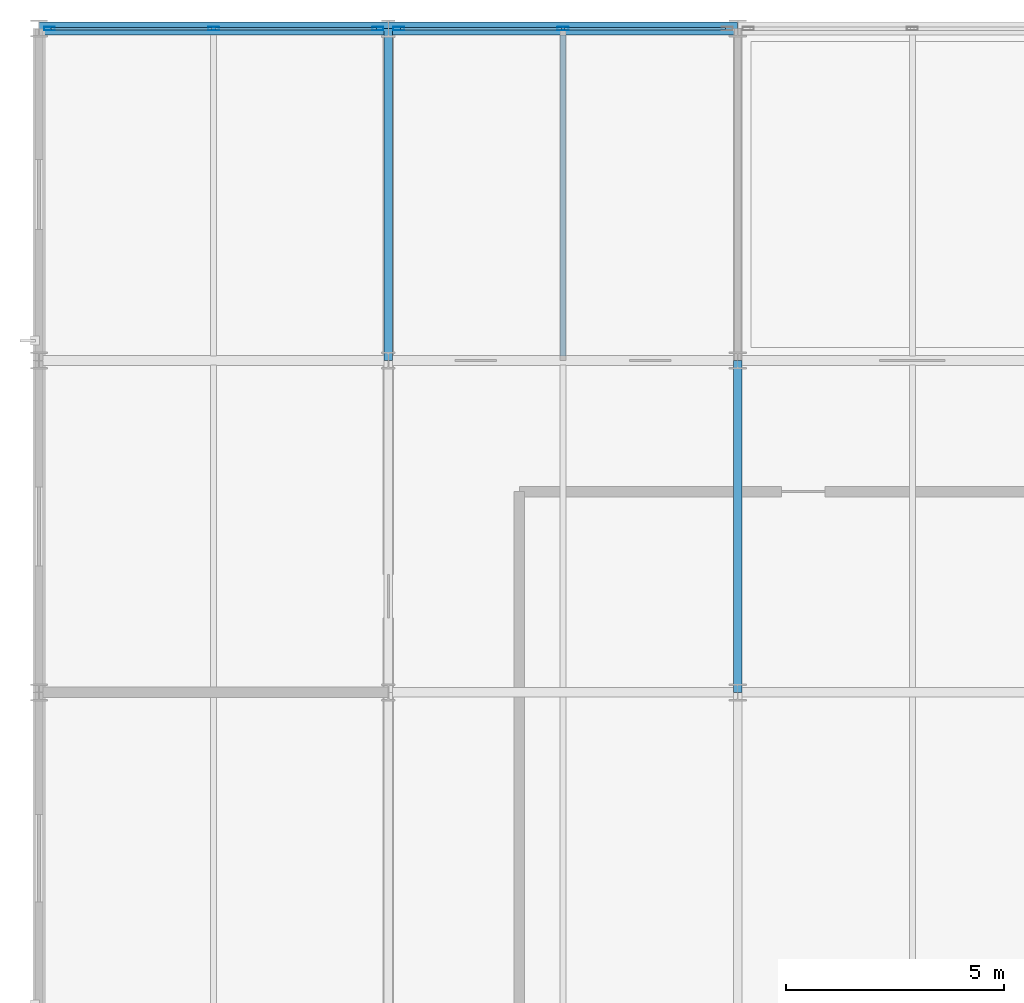
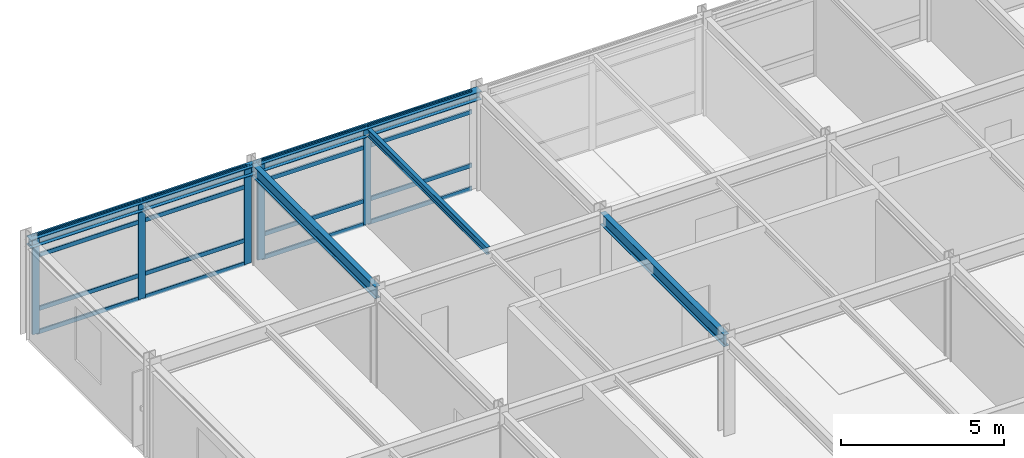
# One storey, part 6 of 18: 21 members, 5 beams, 2 elements without a shape of their own.
"""IFC4 building model written with IfcOpenShell, lengths in metres."""

from ifc_helpers import new_model, si_unit, direction, frame, origin, origin_2d, place, context, subcontext, project, spatial, hollow_rectangle, i_section, extrude, material, layer, layer_set, material_profile, profile_set, type_object, element, aggregate, save


model = new_model("IFC4")

# Units and contexts
model_context = context("Model", 3, precision=1e-05, world=origin(), true_north=direction((0.0, 1.0)))
body_context = subcontext(model_context, "Body", "Model", "MODEL_VIEW")
ifc_project = project(units=[si_unit("LENGTHUNIT", "METRE"), si_unit("AREAUNIT", "SQUARE_METRE"), si_unit("VOLUMEUNIT", "CUBIC_METRE"), si_unit("PLANEANGLEUNIT", "RADIAN"), si_unit("MASSUNIT", "GRAM", prefix="KILO")], contexts=[model_context])

# Site, building, storey
site_placement = place(None, origin())
site = spatial("IfcSite", under=ifc_project, at=site_placement, CompositionType="ELEMENT")
building_placement = place(site_placement, origin())
building = spatial("IfcBuilding", under=site, at=building_placement, Name="Shalkamar Park Central Library", CompositionType="ELEMENT")
storey_placement = place(building_placement, frame((0.0, 0.0, 24.300048828125)))
storey = spatial("IfcBuildingStorey", under=building, at=storey_placement, Name="L06", CompositionType="ELEMENT", Elevation=24.300048828125)

# Beam
ifc_material_1 = material(Name="Steel S355", Category="steel")
ifc_material_profile_1 = material_profile(ifc_material_1, i_section(OverallWidth=0.135009765625, OverallDepth=0.27001953125, WebThickness=0.006591796875, FlangeThickness=0.01025390625, FilletRadius=0.014892578125, at=origin_2d()), Name="IPE 270")
ifc_profile_set_1 = profile_set([ifc_material_profile_1], Name="Steel S355")
beam_type_1 = type_object("IfcBeamType", Name="Composite Floor Joist IPE270", PredefinedType="JOIST", material=ifc_profile_set_1)
beam_1_placement = place(storey_placement, frame((177.0, 285.7080078125, 3.52490234375), z_axis=(0.0, 1.0, 0.0), x_axis=(-1.0, 0.0, 0.0)))
element("IfcBeam", 1, at=beam_1_placement, inside=storey, type_object=beam_type_1, Name="Composite Joist 08/G-1 (L06)", PredefinedType="JOIST", context=body_context, shape_type="SweptSolid", body=[
    extrude(i_section(OverallWidth=0.135009765625, OverallDepth=0.27001953125, WebThickness=0.006591796875, FlangeThickness=0.01025390625, FilletRadius=0.014892578125, at=origin_2d()), origin(), (0.0, 0.0, 1.0), 7.343994140625),
])

# Curtain wall, members
ifc_material_2 = material(Name="Thermally broken aluminium and triple low-e curtain wall", Category="aluminium")
ifc_layer_1 = layer(ifc_material_2, 0.25)
ifc_layer_set_1 = layer_set([ifc_layer_1], Name="UnitisedCurtainWall_68")
curtain_wall_type_1 = type_object("IfcCurtainWallType", Name="Unitised Curtain Wall 68", PredefinedType="USERDEFINED", material=ifc_layer_set_1)
curtain_wall_1_placement = place(storey_placement, origin())
curtain_wall_1 = element("IfcCurtainWall", 2, at=curtain_wall_1_placement, inside=storey, type_object=curtain_wall_type_1, Name="Unitised Curtain Wall CW-L06-089", ObjectType="UNITISED CURTAIN WALL", PredefinedType="USERDEFINED")
ifc_material_3 = material(Name="Aluminium 6060-T66", Category="aluminium")
ifc_material_profile_2 = material_profile(ifc_material_3, hollow_rectangle(XDim=0.074951171875, YDim=0.25, WallThickness=0.00390625, InnerFilletRadius=0.00390625, OuterFilletRadius=0.006103515625, at=origin_2d()), Name="ALU 75x250x4")
ifc_profile_set_2 = profile_set([ifc_material_profile_2], Name="Aluminium 6060-T66")
member_type_1 = type_object("IfcMemberType", Name="Curtain Wall Mullion ALU75x250", PredefinedType="MULLION", material=ifc_profile_set_2)
member_1_placement = place(storey_placement, frame((165.240478515625, 293.199951171875, 0.0), z_axis=(0.0, 0.0, 1.0), x_axis=(0.0, 1.0, 0.0)))
member_1 = element("IfcMember", 3, at=member_1_placement, type_object=member_type_1, Name="CW-68 mullion 1", PredefinedType="MULLION", context=body_context, shape_type="SweptSolid", body=[
    extrude(hollow_rectangle(XDim=0.074951171875, YDim=0.25, WallThickness=0.00390625, InnerFilletRadius=0.00390625, OuterFilletRadius=0.006103515625, at=origin_2d()), origin(), (0.0, 0.0, 1.0), 3.659912109375),
])
member_2_placement = place(storey_placement, frame((169.000732421875, 293.199951171875, 0.0), z_axis=(0.0, 0.0, 1.0), x_axis=(0.0, 1.0, 0.0)))
member_2 = element("IfcMember", 4, at=member_2_placement, type_object=member_type_1, Name="CW-68 mullion 2", PredefinedType="MULLION", context=body_context, shape_type="SweptSolid", body=[
    extrude(hollow_rectangle(XDim=0.074951171875, YDim=0.25, WallThickness=0.00390625, InnerFilletRadius=0.00390625, OuterFilletRadius=0.006103515625, at=origin_2d()), origin(), (0.0, 0.0, 1.0), 3.659912109375),
])
member_3_placement = place(storey_placement, frame((172.760986328125, 293.199951171875, 0.0), z_axis=(0.0, 0.0, 1.0), x_axis=(0.0, 1.0, 0.0)))
member_3 = element("IfcMember", 5, at=member_3_placement, type_object=member_type_1, Name="CW-68 mullion 3", PredefinedType="MULLION", context=body_context, shape_type="SweptSolid", body=[
    extrude(hollow_rectangle(XDim=0.074951171875, YDim=0.25, WallThickness=0.00390625, InnerFilletRadius=0.00390625, OuterFilletRadius=0.006103515625, at=origin_2d()), origin(), (0.0, 0.0, 1.0), 3.659912109375),
])

ifc_layer_2 = layer(ifc_material_2, 0.260009765625)
ifc_layer_set_2 = layer_set([ifc_layer_2], Name="UnitisedCurtainWall_72")
curtain_wall_type_2 = type_object("IfcCurtainWallType", Name="Unitised Curtain Wall 72", PredefinedType="USERDEFINED", material=ifc_layer_set_2)
curtain_wall_2_placement = place(storey_placement, origin())
curtain_wall_2 = element("IfcCurtainWall", 6, at=curtain_wall_2_placement, inside=storey, type_object=curtain_wall_type_2, Name="Unitised Curtain Wall CW-L06-090", ObjectType="UNITISED CURTAIN WALL", PredefinedType="USERDEFINED")
ifc_material_profile_3 = material_profile(ifc_material_3, hollow_rectangle(XDim=0.074951171875, YDim=0.260009765625, WallThickness=0.00439453125, InnerFilletRadius=0.00439453125, OuterFilletRadius=0.0068359375, at=origin_2d()), Name="ALU 75x260x4.5")
ifc_profile_set_3 = profile_set([ifc_material_profile_3], Name="Aluminium 6060-T66")
member_type_2 = type_object("IfcMemberType", Name="Curtain Wall Mullion ALU75x260", PredefinedType="MULLION", material=ifc_profile_set_3)
member_4_placement = place(storey_placement, frame((173.239013671875, 293.199951171875, 0.0), z_axis=(0.0, 0.0, 1.0), x_axis=(0.0, 1.0, 0.0)))
member_4 = element("IfcMember", 7, at=member_4_placement, type_object=member_type_2, Name="CW-72 mullion 1", PredefinedType="MULLION", context=body_context, shape_type="SweptSolid", body=[
    extrude(hollow_rectangle(XDim=0.074951171875, YDim=0.260009765625, WallThickness=0.00439453125, InnerFilletRadius=0.00439453125, OuterFilletRadius=0.0068359375, at=origin_2d()), origin(), (0.0, 0.0, 1.0), 3.659912109375),
])
member_5_placement = place(storey_placement, frame((176.999267578125, 293.199951171875, 0.0), z_axis=(0.0, 0.0, 1.0), x_axis=(0.0, 1.0, 0.0)))
member_5 = element("IfcMember", 8, at=member_5_placement, type_object=member_type_2, Name="CW-72 mullion 2", PredefinedType="MULLION", context=body_context, shape_type="SweptSolid", body=[
    extrude(hollow_rectangle(XDim=0.074951171875, YDim=0.260009765625, WallThickness=0.00439453125, InnerFilletRadius=0.00439453125, OuterFilletRadius=0.0068359375, at=origin_2d()), origin(), (0.0, 0.0, 1.0), 3.659912109375),
])

# Member
ifc_material_profile_4 = material_profile(ifc_material_3, hollow_rectangle(XDim=0.06005859375, YDim=0.159912109375, WallThickness=0.00390625, InnerFilletRadius=0.00390625, OuterFilletRadius=0.006103515625, at=origin_2d()), Name="ALU 60x160x4")
ifc_profile_set_4 = profile_set([ifc_material_profile_4], Name="Aluminium 6060-T66")
member_type_3 = type_object("IfcMemberType", Name="Curtain Wall Transom ALU60x160", PredefinedType="USERDEFINED", material=ifc_profile_set_4)
member_6_placement = place(storey_placement, frame((165.278076171875, 293.199951171875, 0.030029296875), z_axis=(1.0, 0.0, 0.0), x_axis=(0.0, 1.0, 0.0)))
member_6 = element("IfcMember", 9, at=member_6_placement, type_object=member_type_3, Name="CW-68 transom 1.1", ObjectType="TRANSOM", PredefinedType="USERDEFINED", context=body_context, shape_type="SweptSolid", body=[
    extrude(hollow_rectangle(XDim=0.06005859375, YDim=0.159912109375, WallThickness=0.00390625, InnerFilletRadius=0.00390625, OuterFilletRadius=0.006103515625, at=origin_2d()), origin(), (0.0, 0.0, 1.0), 3.68505859375),
])

member_7_placement = place(storey_placement, frame((165.278076171875, 293.199951171875, 0.89990234375), z_axis=(1.0, 0.0, 0.0), x_axis=(0.0, 1.0, 0.0)))
member_7 = element("IfcMember", 10, at=member_7_placement, type_object=member_type_3, Name="CW-68 transom 1.2", ObjectType="TRANSOM", PredefinedType="USERDEFINED", context=body_context, shape_type="SweptSolid", body=[
    extrude(hollow_rectangle(XDim=0.06005859375, YDim=0.159912109375, WallThickness=0.00390625, InnerFilletRadius=0.00390625, OuterFilletRadius=0.006103515625, at=origin_2d()), origin(), (0.0, 0.0, 1.0), 3.68505859375),
])

member_8_placement = place(storey_placement, frame((165.278076171875, 293.199951171875, 2.909912109375), z_axis=(1.0, 0.0, 0.0), x_axis=(0.0, 1.0, 0.0)))
member_8 = element("IfcMember", 11, at=member_8_placement, type_object=member_type_3, Name="CW-68 transom 1.3", ObjectType="TRANSOM", PredefinedType="USERDEFINED", context=body_context, shape_type="SweptSolid", body=[
    extrude(hollow_rectangle(XDim=0.06005859375, YDim=0.159912109375, WallThickness=0.00390625, InnerFilletRadius=0.00390625, OuterFilletRadius=0.006103515625, at=origin_2d()), origin(), (0.0, 0.0, 1.0), 3.68505859375),
])

member_9_placement = place(storey_placement, frame((165.278076171875, 293.199951171875, 3.6298828125), z_axis=(1.0, 0.0, 0.0), x_axis=(0.0, 1.0, 0.0)))
member_9 = element("IfcMember", 12, at=member_9_placement, type_object=member_type_3, Name="CW-68 transom 1.4", ObjectType="TRANSOM", PredefinedType="USERDEFINED", context=body_context, shape_type="SweptSolid", body=[
    extrude(hollow_rectangle(XDim=0.06005859375, YDim=0.159912109375, WallThickness=0.00390625, InnerFilletRadius=0.00390625, OuterFilletRadius=0.006103515625, at=origin_2d()), origin(), (0.0, 0.0, 1.0), 3.68505859375),
])

member_10_placement = place(storey_placement, frame((169.038330078125, 293.199951171875, 0.030029296875), z_axis=(1.0, 0.0, 0.0), x_axis=(0.0, 1.0, 0.0)))
member_10 = element("IfcMember", 13, at=member_10_placement, type_object=member_type_3, Name="CW-68 transom 2.1", ObjectType="TRANSOM", PredefinedType="USERDEFINED", context=body_context, shape_type="SweptSolid", body=[
    extrude(hollow_rectangle(XDim=0.06005859375, YDim=0.159912109375, WallThickness=0.00390625, InnerFilletRadius=0.00390625, OuterFilletRadius=0.006103515625, at=origin_2d()), origin(), (0.0, 0.0, 1.0), 3.68505859375),
])

member_11_placement = place(storey_placement, frame((169.038330078125, 293.199951171875, 0.89990234375), z_axis=(1.0, 0.0, 0.0), x_axis=(0.0, 1.0, 0.0)))
member_11 = element("IfcMember", 14, at=member_11_placement, type_object=member_type_3, Name="CW-68 transom 2.2", ObjectType="TRANSOM", PredefinedType="USERDEFINED", context=body_context, shape_type="SweptSolid", body=[
    extrude(hollow_rectangle(XDim=0.06005859375, YDim=0.159912109375, WallThickness=0.00390625, InnerFilletRadius=0.00390625, OuterFilletRadius=0.006103515625, at=origin_2d()), origin(), (0.0, 0.0, 1.0), 3.68505859375),
])

member_12_placement = place(storey_placement, frame((169.038330078125, 293.199951171875, 2.909912109375), z_axis=(1.0, 0.0, 0.0), x_axis=(0.0, 1.0, 0.0)))
member_12 = element("IfcMember", 15, at=member_12_placement, type_object=member_type_3, Name="CW-68 transom 2.3", ObjectType="TRANSOM", PredefinedType="USERDEFINED", context=body_context, shape_type="SweptSolid", body=[
    extrude(hollow_rectangle(XDim=0.06005859375, YDim=0.159912109375, WallThickness=0.00390625, InnerFilletRadius=0.00390625, OuterFilletRadius=0.006103515625, at=origin_2d()), origin(), (0.0, 0.0, 1.0), 3.68505859375),
])

member_13_placement = place(storey_placement, frame((169.038330078125, 293.199951171875, 3.6298828125), z_axis=(1.0, 0.0, 0.0), x_axis=(0.0, 1.0, 0.0)))
member_13 = element("IfcMember", 16, at=member_13_placement, type_object=member_type_3, Name="CW-68 transom 2.4", ObjectType="TRANSOM", PredefinedType="USERDEFINED", context=body_context, shape_type="SweptSolid", body=[
    extrude(hollow_rectangle(XDim=0.06005859375, YDim=0.159912109375, WallThickness=0.00390625, InnerFilletRadius=0.00390625, OuterFilletRadius=0.006103515625, at=origin_2d()), origin(), (0.0, 0.0, 1.0), 3.68505859375),
])

aggregate(curtain_wall_1, [member_1, member_2, member_3, member_6, member_7, member_8, member_9, member_10, member_11, member_12, member_13])

ifc_material_profile_5 = material_profile(ifc_material_3, hollow_rectangle(XDim=0.06005859375, YDim=0.1650390625, WallThickness=0.00390625, InnerFilletRadius=0.00390625, OuterFilletRadius=0.006103515625, at=origin_2d()), Name="ALU 60x165x4")
ifc_profile_set_5 = profile_set([ifc_material_profile_5], Name="Aluminium 6060-T66")
member_type_4 = type_object("IfcMemberType", Name="Curtain Wall Transom ALU60x165", PredefinedType="USERDEFINED", material=ifc_profile_set_5)
member_14_placement = place(storey_placement, frame((173.276611328125, 293.199951171875, 0.030029296875), z_axis=(1.0, 0.0, 0.0), x_axis=(0.0, 1.0, 0.0)))
member_14 = element("IfcMember", 17, at=member_14_placement, type_object=member_type_4, Name="CW-72 transom 1.1", ObjectType="TRANSOM", PredefinedType="USERDEFINED", context=body_context, shape_type="SweptSolid", body=[
    extrude(hollow_rectangle(XDim=0.06005859375, YDim=0.1650390625, WallThickness=0.00390625, InnerFilletRadius=0.00390625, OuterFilletRadius=0.006103515625, at=origin_2d()), origin(), (0.0, 0.0, 1.0), 3.68505859375),
])

member_15_placement = place(storey_placement, frame((173.276611328125, 293.199951171875, 0.89990234375), z_axis=(1.0, 0.0, 0.0), x_axis=(0.0, 1.0, 0.0)))
member_15 = element("IfcMember", 18, at=member_15_placement, type_object=member_type_4, Name="CW-72 transom 1.2", ObjectType="TRANSOM", PredefinedType="USERDEFINED", context=body_context, shape_type="SweptSolid", body=[
    extrude(hollow_rectangle(XDim=0.06005859375, YDim=0.1650390625, WallThickness=0.00390625, InnerFilletRadius=0.00390625, OuterFilletRadius=0.006103515625, at=origin_2d()), origin(), (0.0, 0.0, 1.0), 3.68505859375),
])

member_16_placement = place(storey_placement, frame((173.276611328125, 293.199951171875, 2.909912109375), z_axis=(1.0, 0.0, 0.0), x_axis=(0.0, 1.0, 0.0)))
member_16 = element("IfcMember", 19, at=member_16_placement, type_object=member_type_4, Name="CW-72 transom 1.3", ObjectType="TRANSOM", PredefinedType="USERDEFINED", context=body_context, shape_type="SweptSolid", body=[
    extrude(hollow_rectangle(XDim=0.06005859375, YDim=0.1650390625, WallThickness=0.00390625, InnerFilletRadius=0.00390625, OuterFilletRadius=0.006103515625, at=origin_2d()), origin(), (0.0, 0.0, 1.0), 3.68505859375),
])

member_17_placement = place(storey_placement, frame((173.276611328125, 293.199951171875, 3.6298828125), z_axis=(1.0, 0.0, 0.0), x_axis=(0.0, 1.0, 0.0)))
member_17 = element("IfcMember", 20, at=member_17_placement, type_object=member_type_4, Name="CW-72 transom 1.4", ObjectType="TRANSOM", PredefinedType="USERDEFINED", context=body_context, shape_type="SweptSolid", body=[
    extrude(hollow_rectangle(XDim=0.06005859375, YDim=0.1650390625, WallThickness=0.00390625, InnerFilletRadius=0.00390625, OuterFilletRadius=0.006103515625, at=origin_2d()), origin(), (0.0, 0.0, 1.0), 3.68505859375),
])

member_18_placement = place(storey_placement, frame((177.036865234375, 293.199951171875, 0.030029296875), z_axis=(1.0, 0.0, 0.0), x_axis=(0.0, 1.0, 0.0)))
member_18 = element("IfcMember", 21, at=member_18_placement, type_object=member_type_4, Name="CW-72 transom 2.1", ObjectType="TRANSOM", PredefinedType="USERDEFINED", context=body_context, shape_type="SweptSolid", body=[
    extrude(hollow_rectangle(XDim=0.06005859375, YDim=0.1650390625, WallThickness=0.00390625, InnerFilletRadius=0.00390625, OuterFilletRadius=0.006103515625, at=origin_2d()), origin(), (0.0, 0.0, 1.0), 3.68505859375),
])

member_19_placement = place(storey_placement, frame((177.036865234375, 293.199951171875, 0.89990234375), z_axis=(1.0, 0.0, 0.0), x_axis=(0.0, 1.0, 0.0)))
member_19 = element("IfcMember", 22, at=member_19_placement, type_object=member_type_4, Name="CW-72 transom 2.2", ObjectType="TRANSOM", PredefinedType="USERDEFINED", context=body_context, shape_type="SweptSolid", body=[
    extrude(hollow_rectangle(XDim=0.06005859375, YDim=0.1650390625, WallThickness=0.00390625, InnerFilletRadius=0.00390625, OuterFilletRadius=0.006103515625, at=origin_2d()), origin(), (0.0, 0.0, 1.0), 3.68505859375),
])

member_20_placement = place(storey_placement, frame((177.036865234375, 293.199951171875, 2.909912109375), z_axis=(1.0, 0.0, 0.0), x_axis=(0.0, 1.0, 0.0)))
member_20 = element("IfcMember", 23, at=member_20_placement, type_object=member_type_4, Name="CW-72 transom 2.3", ObjectType="TRANSOM", PredefinedType="USERDEFINED", context=body_context, shape_type="SweptSolid", body=[
    extrude(hollow_rectangle(XDim=0.06005859375, YDim=0.1650390625, WallThickness=0.00390625, InnerFilletRadius=0.00390625, OuterFilletRadius=0.006103515625, at=origin_2d()), origin(), (0.0, 0.0, 1.0), 3.68505859375),
])

member_21_placement = place(storey_placement, frame((177.036865234375, 293.199951171875, 3.6298828125), z_axis=(1.0, 0.0, 0.0), x_axis=(0.0, 1.0, 0.0)))
member_21 = element("IfcMember", 24, at=member_21_placement, type_object=member_type_4, Name="CW-72 transom 2.4", ObjectType="TRANSOM", PredefinedType="USERDEFINED", context=body_context, shape_type="SweptSolid", body=[
    extrude(hollow_rectangle(XDim=0.06005859375, YDim=0.1650390625, WallThickness=0.00390625, InnerFilletRadius=0.00390625, OuterFilletRadius=0.006103515625, at=origin_2d()), origin(), (0.0, 0.0, 1.0), 3.68505859375),
])

aggregate(curtain_wall_2, [member_4, member_5, member_14, member_15, member_16, member_17, member_18, member_19, member_20, member_21])

# Beams
ifc_material_profile_6 = material_profile(ifc_material_1, i_section(OverallWidth=0.300048828125, OverallDepth=0.31005859375, WebThickness=0.009033203125, FlangeThickness=0.015380859375, FilletRadius=0.027099609375, at=origin_2d()), Name="HEA 320")
ifc_profile_set_6 = profile_set([ifc_material_profile_6], Name="Steel S355")
beam_type_2 = type_object("IfcBeamType", Name="Perimeter Spandrel Beam HEA320", PredefinedType="SPANDREL", material=ifc_profile_set_6)
for number, where, z_axis, x_axis, name in (
    (25, (165.0, 293.199951171875, 3.5048828125), (1.0, 0.0, 0.0), (0.0, 1.0, 0.0), "Beam H:07-08 (L06)"),
    (26, (173.0, 293.199951171875, 3.5048828125), (1.0, 0.0, 0.0), (0.0, 1.0, 0.0), "Beam H:08-09 (L06)"),
):
    element("IfcBeam", number, at=place(storey_placement, frame(where, z_axis=z_axis, x_axis=x_axis)), inside=storey, type_object=beam_type_2, Name=name, PredefinedType="SPANDREL", context=body_context, shape_type="SweptSolid", body=[
        extrude(i_section(OverallWidth=0.300048828125, OverallDepth=0.31005859375, WebThickness=0.009033203125, FlangeThickness=0.015380859375, FilletRadius=0.027099609375, at=origin_2d()), origin(), (0.0, 0.0, 1.0), 8.0),
    ])
ifc_material_profile_7 = material_profile(ifc_material_1, i_section(OverallWidth=0.18994140625, OverallDepth=0.449951171875, WebThickness=0.009521484375, FlangeThickness=0.0146484375, FilletRadius=0.02099609375, at=origin_2d()), Name="IPE 450")
ifc_profile_set_7 = profile_set([ifc_material_profile_7], Name="Steel S355")
beam_type_3 = type_object("IfcBeamType", Name="Primary Girder IPE450", PredefinedType="BEAM", material=ifc_profile_set_7)
beam_2_placement = place(storey_placement, frame((173.0, 285.60009765625, 3.43505859375), z_axis=(0.0, 1.0, 0.0), x_axis=(-1.0, 0.0, 0.0)))
element("IfcBeam", 27, at=beam_2_placement, inside=storey, type_object=beam_type_3, Name="Beam 08:G-H (L06)", PredefinedType="BEAM", context=body_context, shape_type="SweptSolid", body=[
    extrude(i_section(OverallWidth=0.18994140625, OverallDepth=0.449951171875, WebThickness=0.009521484375, FlangeThickness=0.0146484375, FilletRadius=0.02099609375, at=origin_2d()), origin(), (0.0, 0.0, 1.0), 7.599853515625),
])
beam_3_placement = place(storey_placement, frame((181.0, 278.0, 3.43505859375), z_axis=(0.0, 1.0, 0.0), x_axis=(-1.0, 0.0, 0.0)))
element("IfcBeam", 28, at=beam_3_placement, inside=storey, type_object=beam_type_3, Name="Beam 09:F-G (L06)", PredefinedType="BEAM", context=body_context, shape_type="SweptSolid", body=[
    extrude(i_section(OverallWidth=0.18994140625, OverallDepth=0.449951171875, WebThickness=0.009521484375, FlangeThickness=0.0146484375, FilletRadius=0.02099609375, at=origin_2d()), origin(), (0.0, 0.0, 1.0), 7.60009765625),
])

save(model, "model.ifc")
